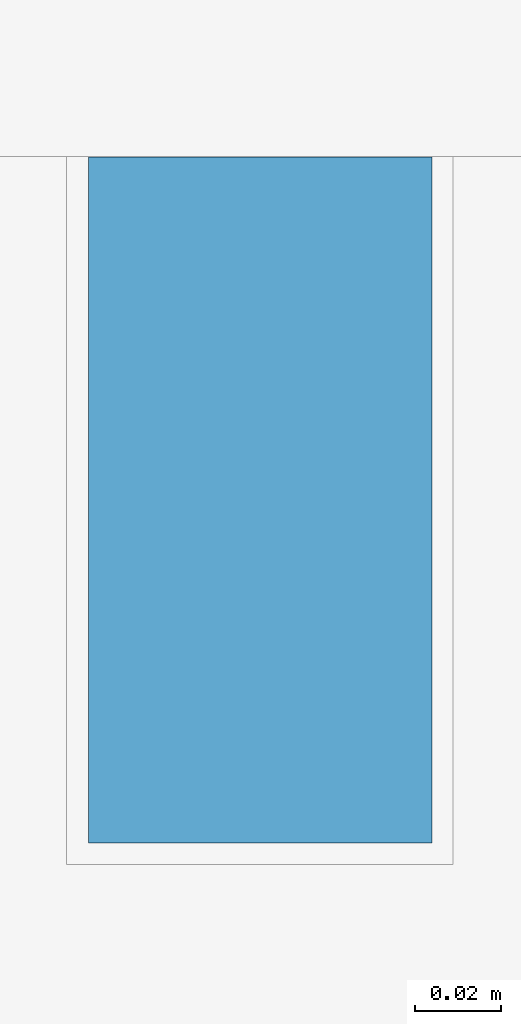
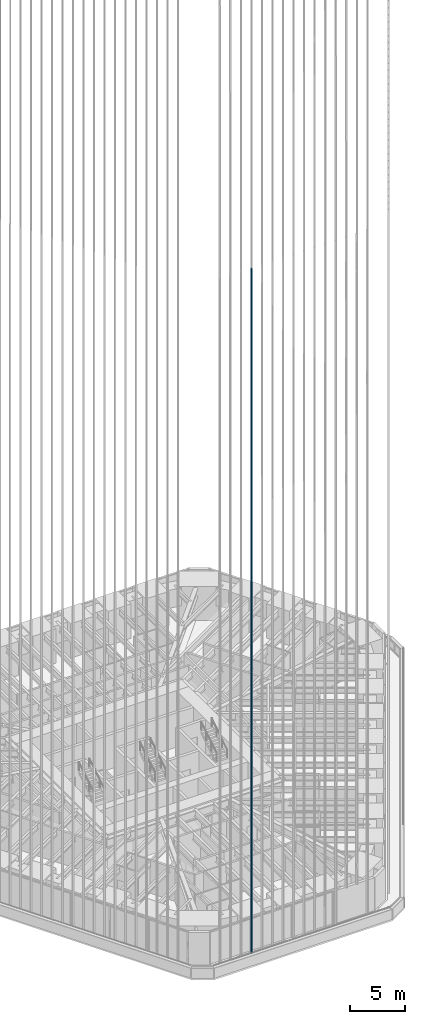
# One storey, part 21 of 238: 1 member, 1 element without a shape of its own.
"""IFC4 building model written with IfcOpenShell, lengths in metres."""

from ifc_helpers import new_model, si_unit, direction, frame, origin, origin_2d, place, context, subcontext, project, spatial, rectangle, extrude, material, material_profile, profile_set, type_object, element, aggregate, save


model = new_model("IFC4")

# Units and contexts
model_context = context("Model", 3, precision=1e-05, world=origin(), true_north=direction((0.0, 1.0)))
body_context = subcontext(model_context, "Body", "Model", "MODEL_VIEW")
ifc_project = project(units=[si_unit("LENGTHUNIT", "METRE"), si_unit("AREAUNIT", "SQUARE_METRE"), si_unit("VOLUMEUNIT", "CUBIC_METRE"), si_unit("PLANEANGLEUNIT", "RADIAN"), si_unit("MASSUNIT", "GRAM", prefix="KILO")], contexts=[model_context])

# Site, building, storey
site_placement = place(None, origin())
site = spatial("IfcSite", under=ifc_project, at=site_placement, CompositionType="ELEMENT")
building_placement = place(site_placement, origin())
building = spatial("IfcBuilding", under=site, at=building_placement, Name="Sandreach Pilgrim Tower", CompositionType="ELEMENT")
storey_placement = place(building_placement, frame((0.0, 0.0, 96.800048828125)))
storey = spatial("IfcBuildingStorey", under=building, at=storey_placement, Name="L23", CompositionType="ELEMENT", Elevation=96.800048828125)

# Curtain wall, member
ifc_material_1 = material(Name="Aluminium framed curtain wall", Category="aluminium")
curtain_wall_type = type_object("IfcCurtainWallType", Name="Hotel tower curtain wall", PredefinedType="NOTDEFINED", material=ifc_material_1)
curtain_wall_placement = place(storey_placement, origin())
curtain_wall = element("IfcCurtainWall", 1, at=curtain_wall_placement, inside=storey, type_object=curtain_wall_type, Name="CW-2 L23 SA", PredefinedType="NOTDEFINED")
ifc_material_2 = material(Name="Extruded terracotta on aluminium core", Category="masonry")
ifc_material_profile = material_profile(ifc_material_2, rectangle(XDim=0.080078125, YDim=0.159912109375, at=origin_2d()), Name="TBS 80X160")
ifc_profile_set = profile_set([ifc_material_profile], Name="Extruded terracotta on aluminium core")
member_type = type_object("IfcMemberType", Name="Terracotta baguette south", PredefinedType="USERDEFINED", material=ifc_profile_set)
member_placement = place(storey_placement, frame((-4.415283203125, -28.572265625, 0.0), z_axis=(0.0, 0.0, 1.0), x_axis=(-1.0, 0.0, 0.0)))
member = element("IfcMember", 2, at=member_placement, type_object=member_type, Name="Baguette Z2 S12", ObjectType="BAGUETTE", PredefinedType="USERDEFINED", context=body_context, shape_type="SweptSolid", body=[
    extrude(rectangle(XDim=0.080078125, YDim=0.159912109375, at=origin_2d()), origin(), (0.0, 0.0, 1.0), 75.83984375),
])
aggregate(curtain_wall, [member])

save(model, "model.ifc")
